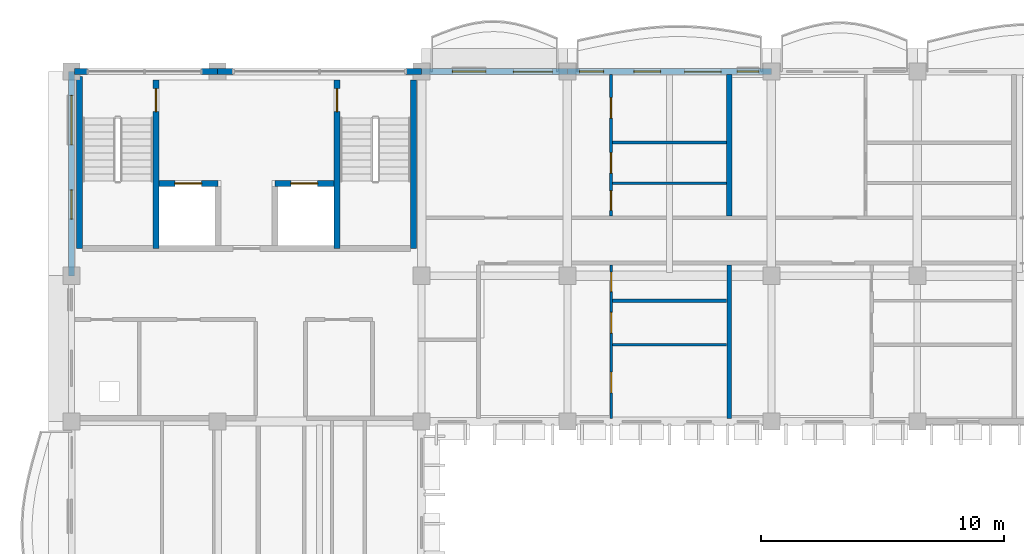
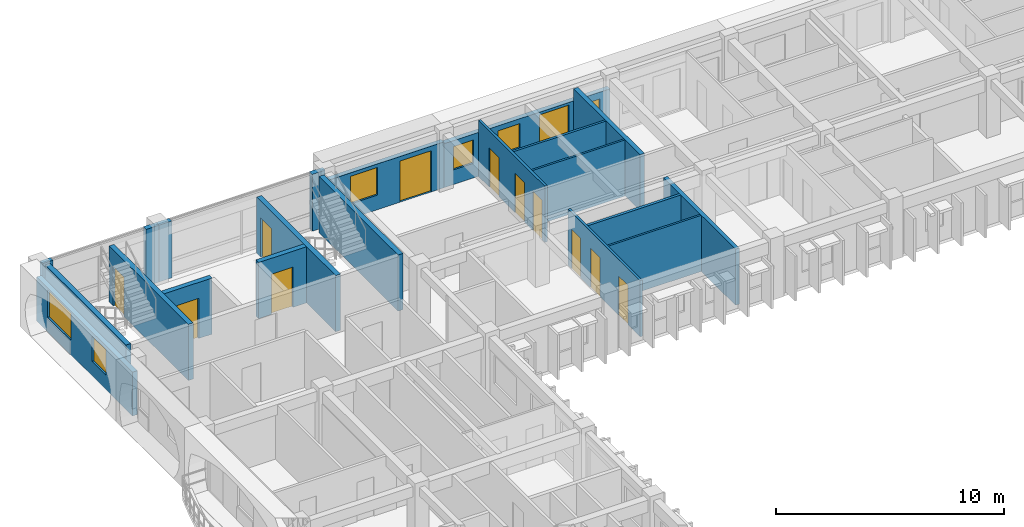
# One storey, part 51 of 101: 21 walls, 12 doors, 6 windows, 18 openings.
"""IFC4 building model written with IfcOpenShell, lengths in metres."""

from ifc_helpers import new_model, si_unit, direction, frame, frame_2d, origin, place, context, subcontext, project, spatial, rectangle, extrude, material, layer, layer_set, type_object, element, fill, save


model = new_model("IFC4")

# Units and contexts
model_context = context("Model", 3, precision=1e-05, world=origin(), true_north=direction((0.0, 1.0)))
body_context = subcontext(model_context, "Body", "Model", "MODEL_VIEW")
ifc_project = project(units=[si_unit("LENGTHUNIT", "METRE"), si_unit("AREAUNIT", "SQUARE_METRE"), si_unit("VOLUMEUNIT", "CUBIC_METRE"), si_unit("PLANEANGLEUNIT", "RADIAN"), si_unit("MASSUNIT", "GRAM", prefix="KILO"), si_unit("THERMODYNAMICTEMPERATUREUNIT", "KELVIN")], contexts=[model_context])

# Site, building, storey
site_placement = place(None, origin())
site = spatial("IfcSite", under=ifc_project, at=site_placement, CompositionType="ELEMENT")
building_placement = place(site_placement, origin())
building = spatial("IfcBuilding", under=site, at=building_placement, Name="Thalorik Housing Commons", CompositionType="ELEMENT")
storey_placement = place(building_placement, frame((0.0, 0.0, 8.10009765625)))
storey = spatial("IfcBuildingStorey", under=building, at=storey_placement, Name="L02", CompositionType="ELEMENT", Elevation=8.10009765625)

# Wall, opening, door
ifc_material_1 = material(Name="Concrete C40/50", Category="concrete")
ifc_layer_1 = layer(ifc_material_1, 0.25, Name="Concrete C40/50", Category="concrete")
ifc_layer_set_1 = layer_set([ifc_layer_1], Name="Concrete C40/50")
wall_type_1 = type_object("IfcWallType", Name="ARC-WAL-CORE-250", PredefinedType="SHEAR", material=ifc_layer_set_1)
wall_1_placement = place(storey_placement, frame((11.875, 123.25, 0.0), z_axis=(0.0, 0.0, 1.0), x_axis=(0.0, -1.0, 0.0)))
wall_1 = element("IfcWall", 1, at=wall_1_placement, inside=storey, type_object=wall_type_1, Name="L02 Core A Stair 1 Shear Wall", PredefinedType="SHEAR", context=body_context, shape_type="SweptSolid", body=[
    extrude(rectangle(XDim=6.925048828125, YDim=0.25, at=frame_2d((3.46240234375, 0.0))), origin(), (0.0, 0.0, 1.0), 3.0),
])
opening_1_placement = place(wall_1_placement, frame((0.35009765625, 0.0, 0.0)))
opening_1 = element("IfcOpeningElement", 2, at=opening_1_placement, cuts=wall_1, Name="Opening ID-0025", PredefinedType="OPENING", context=body_context, shape_type="SweptSolid", body=[
    extrude(rectangle(XDim=0.949951171875, YDim=2.10009765625, at=frame_2d((0.47509765625, 1.050048828125))), frame((0.0, 0.135009765625, 0.0), z_axis=(0.0, -1.0, 0.0), x_axis=(1.0, 0.0, 0.0)), (0.0, 0.0, 1.0), 0.27001953125),
])
ifc_material_2 = material(Name="Steel S355", Category="steel")
door_type_1 = type_object("IfcDoorType", Name="ARC-DR-FD60-950", OperationType="NOTDEFINED", PredefinedType="DOOR", material=ifc_material_2)
door_1_placement = place(opening_1_placement, origin())
door_1 = element("IfcDoor", 3, at=door_1_placement, inside=storey, type_object=door_type_1, Name="L02 Stair ST-A1 Fire Door", OperationType="SINGLE_SWING_RIGHT", OverallHeight=2.10009765625, OverallWidth=0.949951171875, PredefinedType="DOOR", context=body_context, shape_type="SweptSolid", body=[
    extrude(rectangle(XDim=0.949951171875, YDim=2.10009765625, at=frame_2d((0.47509765625, 1.050048828125))), frame((0.0, 0.02490234375, 0.0), z_axis=(0.0, -1.0, 0.0), x_axis=(1.0, 0.0, 0.0)), (0.0, 0.0, 1.0), 0.050048828125),
])
fill(opening_1, door_1)

# Walls
wall_2_placement = place(storey_placement, frame((8.72509765625, 123.39990234375, 0.0), z_axis=(0.0, 0.0, 1.0), x_axis=(0.0, -1.0, 0.0)))
element("IfcWall", 4, at=wall_2_placement, inside=storey, type_object=wall_type_1, Name="L02 Core A Stair 1 Outer Shear Wall", PredefinedType="SHEAR", context=body_context, shape_type="SweptSolid", body=[
    extrude(rectangle(XDim=7.074951171875, YDim=0.25, at=frame_2d((3.53759765625, 0.0))), origin(), (0.0, 0.0, 1.0), 3.0),
])
wall_3_placement = place(storey_placement, frame((22.47509765625, 123.25, 0.0), z_axis=(0.0, 0.0, 1.0), x_axis=(0.0, -1.0, 0.0)))
element("IfcWall", 5, at=wall_3_placement, inside=storey, type_object=wall_type_1, Name="L02 Core A Stair 2 Outer Shear Wall", PredefinedType="SHEAR", context=body_context, shape_type="SweptSolid", body=[
    extrude(rectangle(XDim=6.925048828125, YDim=0.25, at=frame_2d((3.46240234375, 0.0))), origin(), (0.0, 0.0, 1.0), 3.0),
])

# Wall, opening, door
wall_4_placement = place(storey_placement, frame((19.324951171875, 123.25, 0.0), z_axis=(0.0, 0.0, 1.0), x_axis=(0.0, -1.0, 0.0)))
wall_4 = element("IfcWall", 6, at=wall_4_placement, inside=storey, type_object=wall_type_1, Name="L02 Core A Stair 2 Shear Wall", PredefinedType="SHEAR", context=body_context, shape_type="SweptSolid", body=[
    extrude(rectangle(XDim=6.925048828125, YDim=0.25, at=frame_2d((3.46240234375, 0.0))), origin(), (0.0, 0.0, 1.0), 3.0),
])
opening_2_placement = place(wall_4_placement, frame((0.35009765625, 0.0, 0.0)))
opening_2 = element("IfcOpeningElement", 7, at=opening_2_placement, cuts=wall_4, Name="Opening ID-0026", PredefinedType="OPENING", context=body_context, shape_type="SweptSolid", body=[
    extrude(rectangle(XDim=0.949951171875, YDim=2.10009765625, at=frame_2d((0.47509765625, 1.050048828125))), frame((0.0, 0.135009765625, 0.0), z_axis=(0.0, -1.0, 0.0), x_axis=(1.0, 0.0, 0.0)), (0.0, 0.0, 1.0), 0.27001953125),
])
door_2_placement = place(opening_2_placement, origin())
door_2 = element("IfcDoor", 8, at=door_2_placement, inside=storey, type_object=door_type_1, Name="L02 Stair ST-A2 Fire Door", OperationType="SINGLE_SWING_LEFT", OverallHeight=2.10009765625, OverallWidth=0.949951171875, PredefinedType="DOOR", context=body_context, shape_type="SweptSolid", body=[
    extrude(rectangle(XDim=0.949951171875, YDim=2.10009765625, at=frame_2d((0.47509765625, 1.050048828125))), frame((0.0, 0.02490234375, 0.0), z_axis=(0.0, -1.0, 0.0), x_axis=(1.0, 0.0, 0.0)), (0.0, 0.0, 1.0), 0.050048828125),
])
fill(opening_2, door_2)

wall_5_placement = place(storey_placement, frame((12.0, 119.0, 0.0), z_axis=(0.0, 0.0, 1.0), x_axis=(1.0, 0.0, 0.0)))
wall_5 = element("IfcWall", 9, at=wall_5_placement, inside=storey, type_object=wall_type_1, Name="L02 Lift LF-A1 Front Shaft Wall", PredefinedType="SHEAR", context=body_context, shape_type="SweptSolid", body=[
    extrude(rectangle(XDim=2.425048828125, YDim=0.25, at=frame_2d((1.21240234375, 0.0))), origin(), (0.0, 0.0, 1.0), 3.0),
])
opening_3_placement = place(wall_5_placement, frame((0.64990234375, 0.0, 0.0)))
opening_3 = element("IfcOpeningElement", 10, at=opening_3_placement, cuts=wall_5, Name="Opening LD-LF-A1-L02", PredefinedType="OPENING", context=body_context, shape_type="SweptSolid", body=[
    extrude(rectangle(XDim=1.10009765625, YDim=2.14990234375, at=frame_2d((0.550048828125, 1.074951171875))), frame((0.0, 0.135009765625, 0.0), z_axis=(0.0, -1.0, 0.0), x_axis=(1.0, 0.0, 0.0)), (0.0, 0.0, 1.0), 0.27001953125),
])
door_type_2 = type_object("IfcDoorType", Name="ARC-DR-LIFT-1100", OperationType="NOTDEFINED", PredefinedType="DOOR", material=ifc_material_2)
door_3_placement = place(opening_3_placement, origin())
door_3 = element("IfcDoor", 11, at=door_3_placement, inside=storey, type_object=door_type_2, Name="L02 Lift LF-A1 Landing Door", OperationType="SLIDING_TO_LEFT", OverallHeight=2.14990234375, OverallWidth=1.10009765625, PredefinedType="DOOR", context=body_context, shape_type="SweptSolid", body=[
    extrude(rectangle(XDim=1.10009765625, YDim=2.14990234375, at=frame_2d((0.550048828125, 1.074951171875))), frame((0.0, 0.02490234375, 0.0), z_axis=(0.0, -1.0, 0.0), x_axis=(1.0, 0.0, 0.0)), (0.0, 0.0, 1.0), 0.050048828125),
])
fill(opening_3, door_3)

wall_6_placement = place(storey_placement, frame((16.77490234375, 119.0, 0.0), z_axis=(0.0, 0.0, 1.0), x_axis=(1.0, 0.0, 0.0)))
wall_6 = element("IfcWall", 12, at=wall_6_placement, inside=storey, type_object=wall_type_1, Name="L02 Lift LP-A2 Front Shaft Wall", PredefinedType="SHEAR", context=body_context, shape_type="SweptSolid", body=[
    extrude(rectangle(XDim=2.425048828125, YDim=0.25, at=frame_2d((1.21240234375, 0.0))), origin(), (0.0, 0.0, 1.0), 3.0),
])
opening_4_placement = place(wall_6_placement, frame((0.64990234375, 0.0, 0.0)))
opening_4 = element("IfcOpeningElement", 13, at=opening_4_placement, cuts=wall_6, Name="Opening LD-LP-A2-L02", PredefinedType="OPENING", context=body_context, shape_type="SweptSolid", body=[
    extrude(rectangle(XDim=1.10009765625, YDim=2.14990234375, at=frame_2d((0.550048828125, 1.074951171875))), frame((0.0, 0.135009765625, 0.0), z_axis=(0.0, -1.0, 0.0), x_axis=(1.0, 0.0, 0.0)), (0.0, 0.0, 1.0), 0.27001953125),
])
door_4_placement = place(opening_4_placement, origin())
door_4 = element("IfcDoor", 14, at=door_4_placement, inside=storey, type_object=door_type_2, Name="L02 Lift LP-A2 Landing Door", OperationType="SLIDING_TO_LEFT", OverallHeight=2.14990234375, OverallWidth=1.10009765625, PredefinedType="DOOR", context=body_context, shape_type="SweptSolid", body=[
    extrude(rectangle(XDim=1.10009765625, YDim=2.14990234375, at=frame_2d((0.550048828125, 1.074951171875))), frame((0.0, 0.02490234375, 0.0), z_axis=(0.0, -1.0, 0.0), x_axis=(1.0, 0.0, 0.0)), (0.0, 0.0, 1.0), 0.050048828125),
])
fill(opening_4, door_4)

# Wall, openings, door, windows
ifc_material_3 = material(Name="White precast concrete C40/50", Category="concrete")
ifc_layer_2 = layer(ifc_material_3, 0.2451171875, Name="White precast concrete C40/50", Category="concrete")
ifc_layer_set_2 = layer_set([ifc_layer_2], Name="White precast concrete C40/50")
wall_type_2 = type_object("IfcWallType", Name="ARC-WAL-EXT-245", PredefinedType="STANDARD", material=ifc_layer_set_2)
wall_7_placement = place(storey_placement, frame((37.199951171875, 123.60009765625, 0.0), z_axis=(0.0, 0.0, 1.0), x_axis=(-1.0, 0.0, 0.0)))
wall_7 = element("IfcWall", 15, at=wall_7_placement, inside=storey, type_object=wall_type_2, Name="L02 Exterior Wall WAL-EXT-L02-A-0067", PredefinedType="STANDARD", context=body_context, shape_type="SweptSolid", body=[
    extrude(rectangle(XDim=8.39990234375, YDim=0.2451171875, at=frame_2d((4.199951171875, 0.0))), origin(), (0.0, 0.0, 1.0), 2.344970703125),
])
opening_5_placement = place(wall_7_placement, frame((2.070068359375, 0.0, 0.0)))
opening_5 = element("IfcOpeningElement", 16, at=opening_5_placement, cuts=wall_7, Name="Opening ED-0013", PredefinedType="OPENING", context=body_context, shape_type="SweptSolid", body=[
    extrude(rectangle(XDim=1.5, YDim=2.199951171875, at=frame_2d((0.75, 1.10009765625))), frame((0.0, 0.132568359375, 0.0), z_axis=(0.0, -1.0, 0.0), x_axis=(1.0, 0.0, 0.0)), (0.0, 0.0, 1.0), 0.26513671875),
])
opening_6_placement = place(wall_7_placement, frame((0.514892578125, 0.0, 0.780029296875)))
opening_6 = element("IfcOpeningElement", 17, at=opening_6_placement, cuts=wall_7, Name="Opening W-01", PredefinedType="OPENING", context=body_context, shape_type="SweptSolid", body=[
    extrude(rectangle(XDim=0.89990234375, YDim=1.199951171875, at=frame_2d((0.449951171875, 0.60009765625))), frame((0.0, 0.132568359375, 0.0), z_axis=(0.0, -1.0, 0.0), x_axis=(1.0, 0.0, 0.0)), (0.0, 0.0, 1.0), 0.26513671875),
])
opening_7_placement = place(wall_7_placement, frame((4.560546875, 0.0, 0.780029296875)))
opening_7 = element("IfcOpeningElement", 18, at=opening_7_placement, cuts=wall_7, Name="Opening W-03", PredefinedType="OPENING", context=body_context, shape_type="SweptSolid", body=[
    extrude(rectangle(XDim=1.10009765625, YDim=1.300048828125, at=frame_2d((0.550048828125, 0.64990234375))), frame((0.0, 0.132568359375, 0.0), z_axis=(0.0, -1.0, 0.0), x_axis=(1.0, 0.0, 0.0)), (0.0, 0.0, 1.0), 0.26513671875),
])
opening_8_placement = place(wall_7_placement, frame((6.905517578125, 0.0, 0.780029296875)))
opening_8 = element("IfcOpeningElement", 19, at=opening_8_placement, cuts=wall_7, Name="Opening W-02", PredefinedType="OPENING", context=body_context, shape_type="SweptSolid", body=[
    extrude(rectangle(XDim=1.0, YDim=1.25, at=frame_2d((0.5, 0.625))), frame((0.0, 0.132568359375, 0.0), z_axis=(0.0, -1.0, 0.0), x_axis=(1.0, 0.0, 0.0)), (0.0, 0.0, 1.0), 0.26513671875),
])
ifc_material_4 = material(Name="Anodised aluminium and laminated safety glass", Category="aluminium")
door_type_3 = type_object("IfcDoorType", Name="ARC-DR-BAL-1500", OperationType="NOTDEFINED", PredefinedType="DOOR", material=ifc_material_4)
door_5_placement = place(opening_5_placement, frame((1.5, 0.0, 0.0), z_axis=(0.0, 0.0, 1.0), x_axis=(-1.0, 0.0, 0.0)))
door_5 = element("IfcDoor", 20, at=door_5_placement, inside=storey, type_object=door_type_3, Name="L02 Block A Balcony Glazed Door", OperationType="SLIDING_TO_RIGHT", OverallHeight=2.199951171875, OverallWidth=1.5, PredefinedType="DOOR", context=body_context, shape_type="SweptSolid", body=[
    extrude(rectangle(XDim=1.5, YDim=2.199951171875, at=frame_2d((0.75, 1.10009765625))), frame((0.0, 0.02490234375, 0.0), z_axis=(0.0, -1.0, 0.0), x_axis=(1.0, 0.0, 0.0)), (0.0, 0.0, 1.0), 0.050048828125),
])
fill(opening_5, door_5)
ifc_material_5 = material(Name="Anodised aluminium and solar-control low-E glass", Category="aluminium")
window_type_1 = type_object("IfcWindowType", Name="ARC-WIN-01", PartitioningType="SINGLE_PANEL", PredefinedType="WINDOW", material=ifc_material_5)
window_1_placement = place(opening_6_placement, origin())
window_1 = element("IfcWindow", 21, at=window_1_placement, inside=storey, type_object=window_type_1, Name="L02 Facade Window 118", OverallHeight=1.199951171875, OverallWidth=0.89990234375, PartitioningType="SINGLE_PANEL", PredefinedType="WINDOW", context=body_context, shape_type="SweptSolid", body=[
    extrude(rectangle(XDim=0.89990234375, YDim=1.199951171875, at=frame_2d((0.449951171875, 0.60009765625))), frame((0.0, 0.030029296875, 0.0), z_axis=(0.0, -1.0, 0.0), x_axis=(1.0, 0.0, 0.0)), (0.0, 0.0, 1.0), 0.06005859375),
])
fill(opening_6, window_1)
window_type_2 = type_object("IfcWindowType", Name="ARC-WIN-02", PartitioningType="SINGLE_PANEL", PredefinedType="WINDOW", material=ifc_material_5)
window_2_placement = place(opening_8_placement, origin())
window_2 = element("IfcWindow", 22, at=window_2_placement, inside=storey, type_object=window_type_2, Name="L02 Facade Window 120", OverallHeight=1.25, OverallWidth=1.0, PartitioningType="SINGLE_PANEL", PredefinedType="WINDOW", context=body_context, shape_type="SweptSolid", body=[
    extrude(rectangle(XDim=1.0, YDim=1.25, at=frame_2d((0.5, 0.625))), frame((0.0, 0.030029296875, 0.0), z_axis=(0.0, -1.0, 0.0), x_axis=(1.0, 0.0, 0.0)), (0.0, 0.0, 1.0), 0.06005859375),
])
fill(opening_8, window_2)
window_type_3 = type_object("IfcWindowType", Name="ARC-WIN-03", PartitioningType="SINGLE_PANEL", PredefinedType="WINDOW", material=ifc_material_5)
window_3_placement = place(opening_7_placement, origin())
window_3 = element("IfcWindow", 23, at=window_3_placement, inside=storey, type_object=window_type_3, Name="L02 Facade Window 119", OverallHeight=1.300048828125, OverallWidth=1.10009765625, PartitioningType="SINGLE_PANEL", PredefinedType="WINDOW", context=body_context, shape_type="SweptSolid", body=[
    extrude(rectangle(XDim=1.10009765625, YDim=1.300048828125, at=frame_2d((0.550048828125, 0.64990234375))), frame((0.0, 0.030029296875, 0.0), z_axis=(0.0, -1.0, 0.0), x_axis=(1.0, 0.0, 0.0)), (0.0, 0.0, 1.0), 0.06005859375),
])
fill(opening_7, window_3)

# Wall, openings, door, window
wall_8_placement = place(storey_placement, frame((28.800048828125, 123.60009765625, 0.0), z_axis=(0.0, 0.0, 1.0), x_axis=(-1.0, 0.0, 0.0)))
wall_8 = element("IfcWall", 24, at=wall_8_placement, inside=storey, type_object=wall_type_2, Name="L02 Exterior Wall WAL-EXT-L02-A-0068", PredefinedType="STANDARD", context=body_context, shape_type="SweptSolid", body=[
    extrude(rectangle(XDim=6.0, YDim=0.2451171875, at=frame_2d((3.0, 0.0))), origin(), (0.0, 0.0, 1.0), 2.44482421875),
])
opening_9_placement = place(wall_8_placement, frame((0.6201171875, 0.0, 0.0)))
opening_9 = element("IfcOpeningElement", 25, at=opening_9_placement, cuts=wall_8, Name="Opening ED-0014", PredefinedType="OPENING", context=body_context, shape_type="SweptSolid", body=[
    extrude(rectangle(XDim=1.60009765625, YDim=2.199951171875, at=frame_2d((0.800048828125, 1.10009765625))), frame((0.0, 0.132568359375, 0.0), z_axis=(0.0, -1.0, 0.0), x_axis=(1.0, 0.0, 0.0)), (0.0, 0.0, 1.0), 0.26513671875),
])
opening_10_placement = place(wall_8_placement, frame((3.35009765625, 0.0, 0.780029296875)))
opening_10 = element("IfcOpeningElement", 26, at=opening_10_placement, cuts=wall_8, Name="Opening W-49", PredefinedType="OPENING", context=body_context, shape_type="SweptSolid", body=[
    extrude(rectangle(XDim=1.3798828125, YDim=1.47998046875, at=frame_2d((0.68994140625, 0.739990234375))), frame((0.0, 0.132568359375, 0.0), z_axis=(0.0, -1.0, 0.0), x_axis=(1.0, 0.0, 0.0)), (0.0, 0.0, 1.0), 0.26513671875),
])
door_type_4 = type_object("IfcDoorType", Name="ARC-DR-BAL-1600", OperationType="NOTDEFINED", PredefinedType="DOOR", material=ifc_material_4)
door_6_placement = place(opening_9_placement, frame((1.60009765625, 0.0, 0.0), z_axis=(0.0, 0.0, 1.0), x_axis=(-1.0, 0.0, 0.0)))
door_6 = element("IfcDoor", 27, at=door_6_placement, inside=storey, type_object=door_type_4, Name="L02 Block A Balcony Glazed Door", OperationType="SLIDING_TO_LEFT", OverallHeight=2.199951171875, OverallWidth=1.60009765625, PredefinedType="DOOR", context=body_context, shape_type="SweptSolid", body=[
    extrude(rectangle(XDim=1.60009765625, YDim=2.199951171875, at=frame_2d((0.800048828125, 1.10009765625))), frame((0.0, 0.02490234375, 0.0), z_axis=(0.0, -1.0, 0.0), x_axis=(1.0, 0.0, 0.0)), (0.0, 0.0, 1.0), 0.050048828125),
])
fill(opening_9, door_6)
window_type_4 = type_object("IfcWindowType", Name="ARC-WIN-49", PartitioningType="SINGLE_PANEL", PredefinedType="WINDOW", material=ifc_material_5)
window_4_placement = place(opening_10_placement, origin())
window_4 = element("IfcWindow", 28, at=window_4_placement, inside=storey, type_object=window_type_4, Name="L02 Facade Window 121", OverallHeight=1.47998046875, OverallWidth=1.3798828125, PartitioningType="SINGLE_PANEL", PredefinedType="WINDOW", context=body_context, shape_type="SweptSolid", body=[
    extrude(rectangle(XDim=1.3798828125, YDim=1.47998046875, at=frame_2d((0.68994140625, 0.739990234375))), frame((0.0, 0.030029296875, 0.0), z_axis=(0.0, -1.0, 0.0), x_axis=(1.0, 0.0, 0.0)), (0.0, 0.0, 1.0), 0.06005859375),
])
fill(opening_10, window_4)

# Walls
for number, where, z_axis, x_axis, name in (
    (29, (22.800048828125, 123.60009765625, 0.0), (0.0, 0.0, 1.0), (-1.0, 0.0, 0.0), "L02 Exterior Wall WAL-PIERL-L02-A-0069"),
    (30, (15.050048828125, 123.60009765625, 0.0), (0.0, 0.0, 1.0), (-1.0, 0.0, 0.0), "L02 Exterior Wall WAL-PIERR-L02-A-0069"),
):
    element("IfcWall", number, at=place(storey_placement, frame(where, z_axis=z_axis, x_axis=x_axis)), inside=storey, type_object=wall_type_2, Name=name, PredefinedType="STANDARD", context=body_context, shape_type="SweptSolid", body=[
        extrude(rectangle(XDim=0.650146484375, YDim=0.2451171875, at=frame_2d((0.3251953125, 0.0))), origin(), (0.0, 0.0, 1.0), 3.039794921875),
    ])
wall_9_placement = place(storey_placement, frame((14.39990234375, 123.60009765625, 0.0), z_axis=(0.0, 0.0, 1.0), x_axis=(-1.0, 0.0, 0.0)))
element("IfcWall", 31, at=wall_9_placement, inside=storey, type_object=wall_type_2, Name="L02 Exterior Wall WAL-PIERL-L02-A-0070", PredefinedType="STANDARD", context=body_context, shape_type="SweptSolid", body=[
    extrude(rectangle(XDim=0.64990234375, YDim=0.2451171875, at=frame_2d((0.324951171875, 0.0))), origin(), (0.0, 0.0, 1.0), 3.039794921875),
])
wall_10_placement = place(storey_placement, frame((9.050048828125, 123.60009765625, 0.0), z_axis=(0.0, 0.0, 1.0), x_axis=(-1.0, 0.0, 0.0)))
element("IfcWall", 32, at=wall_10_placement, inside=storey, type_object=wall_type_2, Name="L02 Exterior Wall WAL-PIERR-L02-A-0070", PredefinedType="STANDARD", context=body_context, shape_type="SweptSolid", body=[
    extrude(rectangle(XDim=0.525634765625, YDim=0.2451171875, at=frame_2d((0.2626953125, 0.0))), origin(), (0.0, 0.0, 1.0), 3.039794921875),
])

# Wall, openings, windows
wall_11_placement = place(storey_placement, frame((8.39990234375, 123.60009765625, 0.0), z_axis=(0.0, 0.0, 1.0), x_axis=(0.0, -1.0, 0.0)))
wall_11 = element("IfcWall", 33, at=wall_11_placement, inside=storey, type_object=wall_type_2, Name="L02 Exterior Wall WAL-EXT-L02-A-0071", PredefinedType="STANDARD", context=body_context, shape_type="SweptSolid", body=[
    extrude(rectangle(XDim=8.400146484375, YDim=0.2451171875, at=frame_2d((4.2001953125, 0.0))), origin(), (0.0, 0.0, 1.0), 2.344970703125),
])
opening_11_placement = place(wall_11_placement, frame((0.976318359375, 0.0, 0.780029296875)))
opening_11 = element("IfcOpeningElement", 34, at=opening_11_placement, cuts=wall_11, Name="Opening W-62", PredefinedType="OPENING", context=body_context, shape_type="SweptSolid", body=[
    extrude(rectangle(XDim=2.0400390625, YDim=1.4599609375, at=frame_2d((1.02001953125, 0.72998046875))), frame((0.0, 0.132568359375, 0.0), z_axis=(0.0, -1.0, 0.0), x_axis=(1.0, 0.0, 0.0)), (0.0, 0.0, 1.0), 0.26513671875),
])
opening_12_placement = place(wall_11_placement, frame((4.868896484375, 0.0, 0.780029296875)))
opening_12 = element("IfcOpeningElement", 35, at=opening_12_placement, cuts=wall_11, Name="Opening W-04", PredefinedType="OPENING", context=body_context, shape_type="SweptSolid", body=[
    extrude(rectangle(XDim=1.199951171875, YDim=1.35009765625, at=frame_2d((0.60009765625, 0.675048828125))), frame((0.0, 0.132568359375, 0.0), z_axis=(0.0, -1.0, 0.0), x_axis=(1.0, 0.0, 0.0)), (0.0, 0.0, 1.0), 0.26513671875),
])
window_type_5 = type_object("IfcWindowType", Name="ARC-WIN-04", PartitioningType="SINGLE_PANEL", PredefinedType="WINDOW", material=ifc_material_5)
window_5_placement = place(opening_12_placement, origin())
window_5 = element("IfcWindow", 36, at=window_5_placement, inside=storey, type_object=window_type_5, Name="L02 Facade Window 123", OverallHeight=1.35009765625, OverallWidth=1.199951171875, PartitioningType="SINGLE_PANEL", PredefinedType="WINDOW", context=body_context, shape_type="SweptSolid", body=[
    extrude(rectangle(XDim=1.199951171875, YDim=1.35009765625, at=frame_2d((0.60009765625, 0.675048828125))), frame((0.0, 0.030029296875, 0.0), z_axis=(0.0, -1.0, 0.0), x_axis=(1.0, 0.0, 0.0)), (0.0, 0.0, 1.0), 0.06005859375),
])
fill(opening_12, window_5)
window_type_6 = type_object("IfcWindowType", Name="ARC-WIN-62", PartitioningType="DOUBLE_PANEL_VERTICAL", PredefinedType="WINDOW", material=ifc_material_5)
window_6_placement = place(opening_11_placement, origin())
window_6 = element("IfcWindow", 37, at=window_6_placement, inside=storey, type_object=window_type_6, Name="L02 Facade Window 122", OverallHeight=1.4599609375, OverallWidth=2.0400390625, PartitioningType="DOUBLE_PANEL_VERTICAL", PredefinedType="WINDOW", context=body_context, shape_type="SweptSolid", body=[
    extrude(rectangle(XDim=2.0400390625, YDim=1.4599609375, at=frame_2d((1.02001953125, 0.72998046875))), frame((0.0, 0.030029296875, 0.0), z_axis=(0.0, -1.0, 0.0), x_axis=(1.0, 0.0, 0.0)), (0.0, 0.0, 1.0), 0.06005859375),
])
fill(opening_11, window_6)

# Walls
ifc_material_6 = material(Name="Gypsum light stud partition", Category="masonry")
ifc_layer_3 = layer(ifc_material_6, 0.10009765625, Name="Gypsum light stud partition", Category="masonry")
ifc_layer_set_3 = layer_set([ifc_layer_3], Name="Gypsum light stud partition")
wall_type_3 = type_object("IfcWallType", Name="ARC-WAL-PART-100", PredefinedType="PARTITIONING", material=ifc_layer_set_3)
wall_12_placement = place(storey_placement, frame((30.66455078125, 112.36083984375, 0.0), z_axis=(0.0, 0.0, 1.0), x_axis=(1.0, 0.0, 0.0)))
element("IfcWall", 38, at=wall_12_placement, inside=storey, type_object=wall_type_3, Name="L02 Unit 1 Bedroom Partition", PredefinedType="PARTITIONING", context=body_context, shape_type="SweptSolid", body=[
    extrude(rectangle(XDim=4.693359375, YDim=0.10009765625, at=frame_2d((2.3466796875, 0.0))), origin(), (0.0, 0.0, 1.0), 3.0),
])
wall_13_placement = place(storey_placement, frame((30.663330078125, 119.010498046875, 0.0), z_axis=(0.0, 0.0, 1.0), x_axis=(1.0, 0.0, 0.0)))
element("IfcWall", 39, at=wall_13_placement, inside=storey, type_object=wall_type_3, Name="L02 Unit 1B Wet Wall", PredefinedType="PARTITIONING", context=body_context, shape_type="SweptSolid", body=[
    extrude(rectangle(XDim=4.6845703125, YDim=0.10009765625, at=frame_2d((2.34228515625, 0.0))), origin(), (0.0, 0.0, 1.0), 3.0),
])

# Wall, openings, doors
ifc_material_7 = material(Name="Gypsum moisture-resistant partition", Category="masonry")
ifc_layer_4 = layer(ifc_material_7, 0.114990234375, Name="Gypsum moisture-resistant partition", Category="masonry")
ifc_layer_set_4 = layer_set([ifc_layer_4], Name="Gypsum moisture-resistant partition")
wall_type_4 = type_object("IfcWallType", Name="ARC-WAL-PART-115", PredefinedType="PARTITIONING", material=ifc_layer_set_4)
wall_14_placement = place(storey_placement, frame((30.60498046875, 109.324462890625, 0.0), z_axis=(0.0, 0.0, 1.0), x_axis=(0.0, 1.0, 0.0)))
wall_14 = element("IfcWall", 40, at=wall_14_placement, inside=storey, type_object=wall_type_4, Name="L02 Unit 1 Spine Partition", PredefinedType="PARTITIONING", context=body_context, shape_type="SweptSolid", body=[
    extrude(rectangle(XDim=6.31103515625, YDim=0.114990234375, at=frame_2d((3.155517578125, 0.0))), origin(), (0.0, 0.0, 1.0), 3.0),
])
opening_13_placement = place(wall_14_placement, frame((1.060791015625, 0.0, 0.0)))
opening_13 = element("IfcOpeningElement", 41, at=opening_13_placement, cuts=wall_14, Name="Opening ID-0453", PredefinedType="OPENING", context=body_context, shape_type="SweptSolid", body=[
    extrude(rectangle(XDim=0.85009765625, YDim=2.10009765625, at=frame_2d((0.425048828125, 1.050048828125))), frame((0.0, 0.0673828125, 0.0), z_axis=(0.0, -1.0, 0.0), x_axis=(1.0, 0.0, 0.0)), (0.0, 0.0, 1.0), 0.135009765625),
])
opening_14_placement = place(wall_14_placement, frame((3.515625, 0.0, 0.0)))
opening_14 = element("IfcOpeningElement", 42, at=opening_14_placement, cuts=wall_14, Name="Opening ID-0454", PredefinedType="OPENING", context=body_context, shape_type="SweptSolid", body=[
    extrude(rectangle(XDim=0.85009765625, YDim=2.10009765625, at=frame_2d((0.425048828125, 1.050048828125))), frame((0.0, 0.0673828125, 0.0), z_axis=(0.0, -1.0, 0.0), x_axis=(1.0, 0.0, 0.0)), (0.0, 0.0, 1.0), 0.135009765625),
])
opening_15_placement = place(wall_14_placement, frame((5.22021484375, 0.0, 0.0)))
opening_15 = element("IfcOpeningElement", 43, at=opening_15_placement, cuts=wall_14, Name="Opening ID-0455", PredefinedType="OPENING", context=body_context, shape_type="SweptSolid", body=[
    extrude(rectangle(XDim=0.800048828125, YDim=2.10009765625, at=frame_2d((0.39990234375, 1.050048828125))), frame((0.0, 0.0673828125, 0.0), z_axis=(0.0, -1.0, 0.0), x_axis=(1.0, 0.0, 0.0)), (0.0, 0.0, 1.0), 0.135009765625),
])
ifc_material_8 = material(Name="Moisture-resistant timber", Category="wood")
door_type_5 = type_object("IfcDoorType", Name="ARC-DR-INT-800", OperationType="NOTDEFINED", PredefinedType="DOOR", material=ifc_material_8)
door_7_placement = place(opening_15_placement, origin())
door_7 = element("IfcDoor", 44, at=door_7_placement, inside=storey, type_object=door_type_5, Name="L02 Flat Bathroom Door", OperationType="SINGLE_SWING_RIGHT", OverallHeight=2.10009765625, OverallWidth=0.800048828125, PredefinedType="DOOR", context=body_context, shape_type="SweptSolid", body=[
    extrude(rectangle(XDim=0.800048828125, YDim=2.10009765625, at=frame_2d((0.39990234375, 1.050048828125))), frame((0.0, 0.02490234375, 0.0), z_axis=(0.0, -1.0, 0.0), x_axis=(1.0, 0.0, 0.0)), (0.0, 0.0, 1.0), 0.050048828125),
])
fill(opening_15, door_7)
ifc_material_9 = material(Name="Engineered oak timber", Category="wood")
door_type_6 = type_object("IfcDoorType", Name="ARC-DR-INT-850", OperationType="NOTDEFINED", PredefinedType="DOOR", material=ifc_material_9)
door_8_placement = place(opening_13_placement, origin())
door_8 = element("IfcDoor", 45, at=door_8_placement, inside=storey, type_object=door_type_6, Name="L02 Double Bedroom Door", OperationType="SINGLE_SWING_RIGHT", OverallHeight=2.10009765625, OverallWidth=0.85009765625, PredefinedType="DOOR", context=body_context, shape_type="SweptSolid", body=[
    extrude(rectangle(XDim=0.85009765625, YDim=2.10009765625, at=frame_2d((0.425048828125, 1.050048828125))), frame((0.0, 0.02490234375, 0.0), z_axis=(0.0, -1.0, 0.0), x_axis=(1.0, 0.0, 0.0)), (0.0, 0.0, 1.0), 0.050048828125),
])
fill(opening_13, door_8)
door_9_placement = place(opening_14_placement, origin())
door_9 = element("IfcDoor", 46, at=door_9_placement, inside=storey, type_object=door_type_6, Name="L02 Galley Kitchen Door", OperationType="SINGLE_SWING_LEFT", OverallHeight=2.10009765625, OverallWidth=0.85009765625, PredefinedType="DOOR", context=body_context, shape_type="SweptSolid", body=[
    extrude(rectangle(XDim=0.85009765625, YDim=2.10009765625, at=frame_2d((0.425048828125, 1.050048828125))), frame((0.0, 0.02490234375, 0.0), z_axis=(0.0, -1.0, 0.0), x_axis=(1.0, 0.0, 0.0)), (0.0, 0.0, 1.0), 0.050048828125),
])
fill(opening_14, door_9)

# Wall
wall_15_placement = place(storey_placement, frame((30.663330078125, 120.67919921875, 0.0), z_axis=(0.0, 0.0, 1.0), x_axis=(1.0, 0.0, 0.0)))
element("IfcWall", 47, at=wall_15_placement, inside=storey, type_object=wall_type_4, Name="L02 Unit 1B Bedroom Partition", PredefinedType="PARTITIONING", context=body_context, shape_type="SweptSolid", body=[
    extrude(rectangle(XDim=4.6845703125, YDim=0.114990234375, at=frame_2d((2.34228515625, 0.0))), origin(), (0.0, 0.0, 1.0), 3.0),
])

# Wall, openings, doors
ifc_material_10 = material(Name="Gypsum acoustic stud partition", Category="masonry")
ifc_layer_5 = layer(ifc_material_10, 0.125, Name="Gypsum acoustic stud partition", Category="masonry")
ifc_layer_set_5 = layer_set([ifc_layer_5], Name="Gypsum acoustic stud partition")
wall_type_5 = type_object("IfcWallType", Name="ARC-WAL-PART-125", PredefinedType="PARTITIONING", material=ifc_layer_set_5)
wall_16_placement = place(storey_placement, frame((30.598876953125, 117.656982421875, 0.0), z_axis=(0.0, 0.0, 1.0), x_axis=(0.0, 1.0, 0.0)))
wall_16 = element("IfcWall", 48, at=wall_16_placement, inside=storey, type_object=wall_type_5, Name="L02 Unit 1B Spine Partition", PredefinedType="PARTITIONING", context=body_context, shape_type="SweptSolid", body=[
    extrude(rectangle(XDim=5.818603515625, YDim=0.125, at=frame_2d((2.9091796875, 0.0))), origin(), (0.0, 0.0, 1.0), 3.0),
])
opening_16_placement = place(wall_16_placement, frame((0.23828125, 0.0, 0.0)))
opening_16 = element("IfcOpeningElement", 49, at=opening_16_placement, cuts=wall_16, Name="Opening ID-0456", PredefinedType="OPENING", context=body_context, shape_type="SweptSolid", body=[
    extrude(rectangle(XDim=0.800048828125, YDim=2.10009765625, at=frame_2d((0.39990234375, 1.050048828125))), frame((0.0, 0.072509765625, 0.0), z_axis=(0.0, -1.0, 0.0), x_axis=(1.0, 0.0, 0.0)), (0.0, 0.0, 1.0), 0.14501953125),
])
opening_17_placement = place(wall_16_placement, frame((1.7626953125, 0.0, 0.0)))
opening_17 = element("IfcOpeningElement", 50, at=opening_17_placement, cuts=wall_16, Name="Opening ID-0457", PredefinedType="OPENING", context=body_context, shape_type="SweptSolid", body=[
    extrude(rectangle(XDim=0.85009765625, YDim=2.10009765625, at=frame_2d((0.425048828125, 1.050048828125))), frame((0.0, 0.072509765625, 0.0), z_axis=(0.0, -1.0, 0.0), x_axis=(1.0, 0.0, 0.0)), (0.0, 0.0, 1.0), 0.14501953125),
])
opening_18_placement = place(wall_16_placement, frame((4.027587890625, 0.0, 0.0)))
opening_18 = element("IfcOpeningElement", 51, at=opening_18_placement, cuts=wall_16, Name="Opening ID-0458", PredefinedType="OPENING", context=body_context, shape_type="SweptSolid", body=[
    extrude(rectangle(XDim=0.85009765625, YDim=2.10009765625, at=frame_2d((0.425048828125, 1.050048828125))), frame((0.0, 0.072509765625, 0.0), z_axis=(0.0, -1.0, 0.0), x_axis=(1.0, 0.0, 0.0)), (0.0, 0.0, 1.0), 0.14501953125),
])
door_10_placement = place(opening_16_placement, origin())
door_10 = element("IfcDoor", 52, at=door_10_placement, inside=storey, type_object=door_type_5, Name="L02 Accessible Bathroom Door", OperationType="SINGLE_SWING_LEFT", OverallHeight=2.10009765625, OverallWidth=0.800048828125, PredefinedType="DOOR", context=body_context, shape_type="SweptSolid", body=[
    extrude(rectangle(XDim=0.800048828125, YDim=2.10009765625, at=frame_2d((0.39990234375, 1.050048828125))), frame((0.0, 0.02490234375, 0.0), z_axis=(0.0, -1.0, 0.0), x_axis=(1.0, 0.0, 0.0)), (0.0, 0.0, 1.0), 0.050048828125),
])
fill(opening_16, door_10)
door_11_placement = place(opening_17_placement, origin())
door_11 = element("IfcDoor", 53, at=door_11_placement, inside=storey, type_object=door_type_6, Name="L02 Galley Kitchen Door", OperationType="SINGLE_SWING_RIGHT", OverallHeight=2.10009765625, OverallWidth=0.85009765625, PredefinedType="DOOR", context=body_context, shape_type="SweptSolid", body=[
    extrude(rectangle(XDim=0.85009765625, YDim=2.10009765625, at=frame_2d((0.425048828125, 1.050048828125))), frame((0.0, 0.02490234375, 0.0), z_axis=(0.0, -1.0, 0.0), x_axis=(1.0, 0.0, 0.0)), (0.0, 0.0, 1.0), 0.050048828125),
])
fill(opening_17, door_11)
door_12_placement = place(opening_18_placement, origin())
door_12 = element("IfcDoor", 54, at=door_12_placement, inside=storey, type_object=door_type_6, Name="L02 Double Bedroom Door", OperationType="SINGLE_SWING_LEFT", OverallHeight=2.10009765625, OverallWidth=0.85009765625, PredefinedType="DOOR", context=body_context, shape_type="SweptSolid", body=[
    extrude(rectangle(XDim=0.85009765625, YDim=2.10009765625, at=frame_2d((0.425048828125, 1.050048828125))), frame((0.0, 0.02490234375, 0.0), z_axis=(0.0, -1.0, 0.0), x_axis=(1.0, 0.0, 0.0)), (0.0, 0.0, 1.0), 0.050048828125),
])
fill(opening_18, door_12)

# Walls
ifc_material_11 = material(Name="Ceramic masonry partition wall", Category="masonry")
ifc_layer_6 = layer(ifc_material_11, 0.139892578125, Name="Ceramic masonry partition wall", Category="masonry")
ifc_layer_set_6 = layer_set([ifc_layer_6], Name="Ceramic masonry partition wall")
wall_type_6 = type_object("IfcWallType", Name="ARC-WAL-PART-140", PredefinedType="PARTITIONING", material=ifc_layer_set_6)
wall_17_placement = place(storey_placement, frame((30.66455078125, 114.169677734375, 0.0), z_axis=(0.0, 0.0, 1.0), x_axis=(1.0, 0.0, 0.0)))
element("IfcWall", 55, at=wall_17_placement, inside=storey, type_object=wall_type_6, Name="L02 Unit 1 Wet Wall", PredefinedType="PARTITIONING", context=body_context, shape_type="SweptSolid", body=[
    extrude(rectangle(XDim=4.693359375, YDim=0.139892578125, at=frame_2d((2.3466796875, 0.0))), origin(), (0.0, 0.0, 1.0), 3.0),
])
ifc_material_12 = material(Name="Precast concrete C40/50 acoustic wall", Category="concrete")
ifc_layer_7 = layer(ifc_material_12, 0.199951171875, Name="Precast concrete C40/50 acoustic wall", Category="concrete")
ifc_layer_set_7 = layer_set([ifc_layer_7], Name="Precast concrete C40/50 acoustic wall")
wall_type_7 = type_object("IfcWallType", Name="ARC-WAL-PARTY-200", PredefinedType="PARTITIONING", material=ifc_layer_set_7)
wall_18_placement = place(storey_placement, frame((35.4599609375, 109.324462890625, 0.0), z_axis=(0.0, 0.0, 1.0), x_axis=(0.0, 1.0, 0.0)))
element("IfcWall", 56, at=wall_18_placement, inside=storey, type_object=wall_type_7, Name="L02 Inter-Tenancy Wall 1A", PredefinedType="PARTITIONING", context=body_context, shape_type="SweptSolid", body=[
    extrude(rectangle(XDim=6.31103515625, YDim=0.199951171875, at=frame_2d((3.155517578125, 0.0))), origin(), (0.0, 0.0, 1.0), 3.0),
])
ifc_layer_8 = layer(ifc_material_12, 0.219970703125, Name="Precast concrete C40/50 acoustic wall", Category="concrete")
ifc_layer_set_8 = layer_set([ifc_layer_8], Name="Precast concrete C40/50 acoustic wall")
wall_type_8 = type_object("IfcWallType", Name="ARC-WAL-PARTY-220", PredefinedType="PARTITIONING", material=ifc_layer_set_8)
wall_19_placement = place(storey_placement, frame((35.4599609375, 117.656982421875, 0.0), z_axis=(0.0, 0.0, 1.0), x_axis=(0.0, 1.0, 0.0)))
element("IfcWall", 57, at=wall_19_placement, inside=storey, type_object=wall_type_8, Name="L02 Inter-Tenancy Wall 1B", PredefinedType="PARTITIONING", context=body_context, shape_type="SweptSolid", body=[
    extrude(rectangle(XDim=5.818603515625, YDim=0.219970703125, at=frame_2d((2.9091796875, 0.0))), origin(), (0.0, 0.0, 1.0), 3.0),
])

save(model, "model.ifc")
